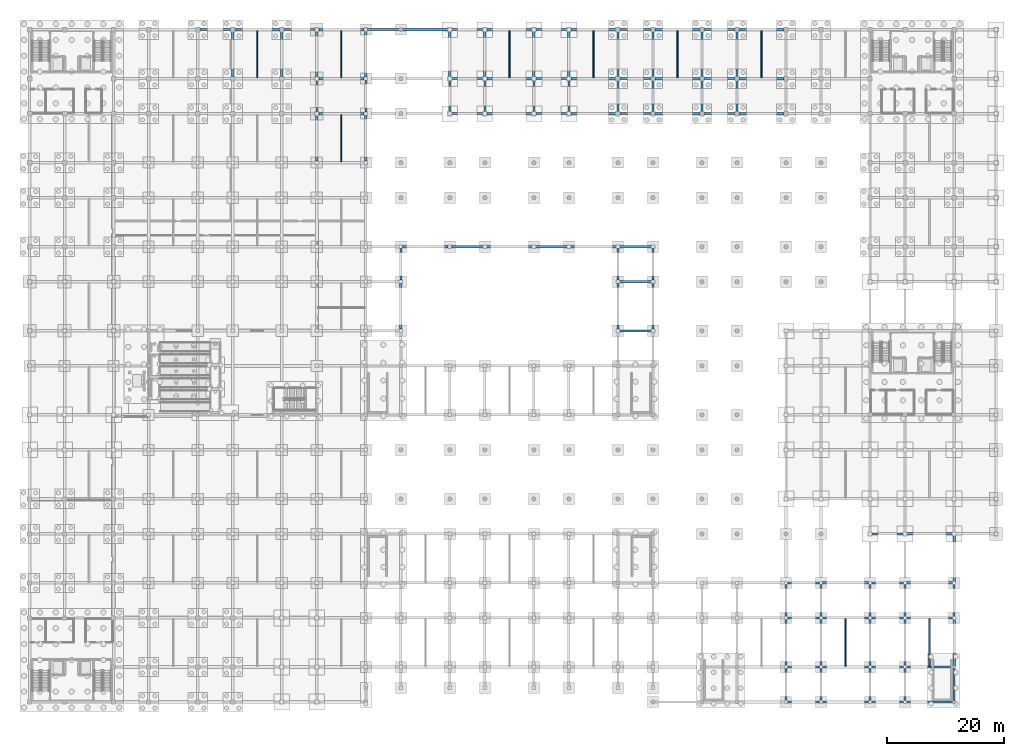
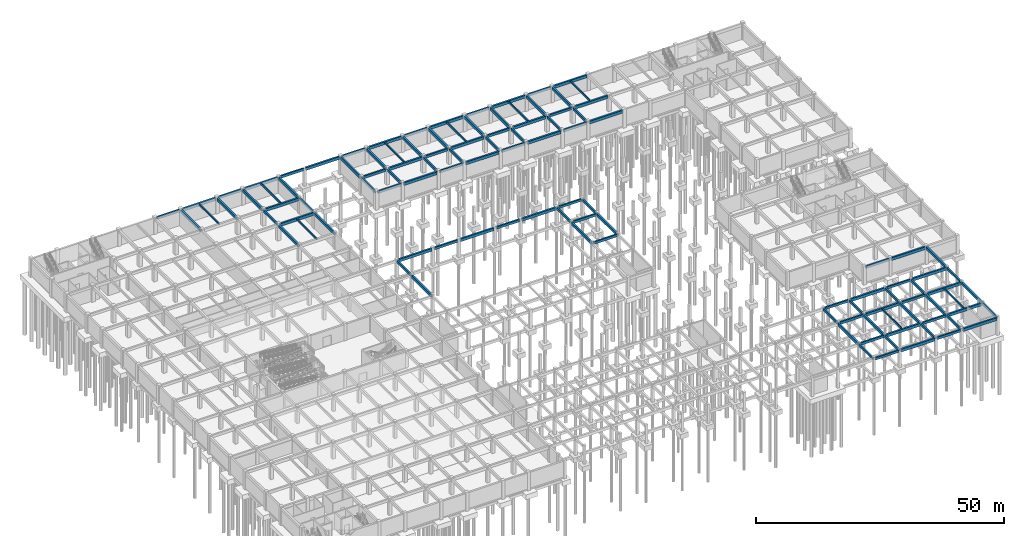
# One storey, part 21 of 40: 113 beams.
"""IFC4 building model written with IfcOpenShell, lengths in metres."""

from ifc_helpers import new_model, si_unit, direction, frame, origin, origin_2d, place, context, subcontext, project, spatial, rectangle, extrude, material, material_profile, profile_set, type_object, element, save


model = new_model("IFC4")

# Units and contexts
model_context = context("Model", 3, precision=1e-05, world=origin(), true_north=direction((0.0, 1.0)))
body_context = subcontext(model_context, "Body", "Model", "MODEL_VIEW")
ifc_project = project(units=[si_unit("LENGTHUNIT", "METRE"), si_unit("AREAUNIT", "SQUARE_METRE"), si_unit("VOLUMEUNIT", "CUBIC_METRE"), si_unit("PLANEANGLEUNIT", "RADIAN"), si_unit("MASSUNIT", "GRAM", prefix="KILO"), si_unit("THERMODYNAMICTEMPERATUREUNIT", "KELVIN")], contexts=[model_context])

# Site, building, storey
site_placement = place(None, origin())
site = spatial("IfcSite", under=ifc_project, at=site_placement, CompositionType="ELEMENT")
building_placement = place(site_placement, origin())
building = spatial("IfcBuilding", under=site, at=building_placement, Name="Thalorik Housing Commons", CompositionType="ELEMENT")
storey_placement = place(building_placement, frame((0.0, 0.0, -4.199951171875)))
storey = spatial("IfcBuildingStorey", under=building, at=storey_placement, Name="B1", CompositionType="ELEMENT", Elevation=-4.199951171875)

# Beams
ifc_material = material(Name="Precast concrete C40/50", Category="concrete")
ifc_material_profile_1 = material_profile(ifc_material, rectangle(XDim=0.35009765625, YDim=0.60009765625, at=origin_2d()), Name="PC 350x600", Category="concrete")
ifc_profile_set_1 = profile_set([ifc_material_profile_1], Name="Precast concrete C40/50")
beam_type_1 = type_object("IfcBeamType", Name="STR-BM-PC350x600", PredefinedType="BEAM", material=ifc_profile_set_1)
beam_1_placement = place(storey_placement, frame((138.22509765625, 8.39990234375, 3.599853515625), z_axis=(1.0, 0.0, 0.0), x_axis=(0.0, 1.0, 0.0)))
element("IfcBeam", 1, at=beam_1_placement, inside=storey, type_object=beam_type_1, Name="B1 Beam B-600", PredefinedType="BEAM", context=body_context, shape_type="SweptSolid", body=[
    extrude(rectangle(XDim=0.35009765625, YDim=0.60009765625, at=origin_2d()), origin(), (0.0, 0.0, 1.0), 5.5498046875),
])
beam_2_placement = place(storey_placement, frame((152.625, 8.39990234375, 3.599853515625), z_axis=(1.0, 0.0, 0.0), x_axis=(0.0, 1.0, 0.0)))
element("IfcBeam", 2, at=beam_2_placement, inside=storey, type_object=beam_type_1, Name="B1 Beam B-600", PredefinedType="BEAM", context=body_context, shape_type="SweptSolid", body=[
    extrude(rectangle(XDim=0.35009765625, YDim=0.60009765625, at=origin_2d()), origin(), (0.0, 0.0, 1.0), 5.550048828125),
])
beam_3_placement = place(storey_placement, frame((138.22509765625, 14.39990234375, 3.599853515625), z_axis=(1.0, 0.0, 0.0), x_axis=(0.0, 1.0, 0.0)))
element("IfcBeam", 3, at=beam_3_placement, inside=storey, type_object=beam_type_1, Name="B1 Beam B-600", PredefinedType="BEAM", context=body_context, shape_type="SweptSolid", body=[
    extrude(rectangle(XDim=0.35009765625, YDim=0.60009765625, at=origin_2d()), origin(), (0.0, 0.0, 1.0), 5.5498046875),
])
beam_4_placement = place(storey_placement, frame((152.625, 14.39990234375, 3.599853515625), z_axis=(1.0, 0.0, 0.0), x_axis=(0.0, 1.0, 0.0)))
element("IfcBeam", 4, at=beam_4_placement, inside=storey, type_object=beam_type_1, Name="B1 Beam B-600", PredefinedType="BEAM", context=body_context, shape_type="SweptSolid", body=[
    extrude(rectangle(XDim=0.35009765625, YDim=0.60009765625, at=origin_2d()), origin(), (0.0, 0.0, 1.0), 5.550048828125),
])
beam_5_placement = place(storey_placement, frame((138.22509765625, 22.800048828125, 3.599853515625), z_axis=(1.0, 0.0, 0.0), x_axis=(0.0, 1.0, 0.0)))
element("IfcBeam", 5, at=beam_5_placement, inside=storey, type_object=beam_type_1, Name="B1 Beam B-600", PredefinedType="BEAM", context=body_context, shape_type="SweptSolid", body=[
    extrude(rectangle(XDim=0.35009765625, YDim=0.60009765625, at=origin_2d()), origin(), (0.0, 0.0, 1.0), 5.5498046875),
])
beam_6_placement = place(storey_placement, frame((152.625, 22.800048828125, 3.599853515625), z_axis=(1.0, 0.0, 0.0), x_axis=(0.0, 1.0, 0.0)))
element("IfcBeam", 6, at=beam_6_placement, inside=storey, type_object=beam_type_1, Name="B1 Beam B-600", PredefinedType="BEAM", context=body_context, shape_type="SweptSolid", body=[
    extrude(rectangle(XDim=0.35009765625, YDim=0.60009765625, at=origin_2d()), origin(), (0.0, 0.0, 1.0), 5.550048828125),
])
beam_7_placement = place(storey_placement, frame((138.22509765625, 28.800048828125, 3.599853515625), z_axis=(1.0, 0.0, 0.0), x_axis=(0.0, 1.0, 0.0)))
element("IfcBeam", 7, at=beam_7_placement, inside=storey, type_object=beam_type_1, Name="B1 Beam B-600", PredefinedType="BEAM", context=body_context, shape_type="SweptSolid", body=[
    extrude(rectangle(XDim=0.35009765625, YDim=0.60009765625, at=origin_2d()), origin(), (0.0, 0.0, 1.0), 5.5498046875),
])
beam_8_placement = place(storey_placement, frame((152.625, 28.800048828125, 3.599853515625), z_axis=(1.0, 0.0, 0.0), x_axis=(0.0, 1.0, 0.0)))
element("IfcBeam", 8, at=beam_8_placement, inside=storey, type_object=beam_type_1, Name="B1 Beam B-600", PredefinedType="BEAM", context=body_context, shape_type="SweptSolid", body=[
    extrude(rectangle(XDim=0.35009765625, YDim=0.60009765625, at=origin_2d()), origin(), (0.0, 0.0, 1.0), 5.550048828125),
])
for number, where, z_axis, x_axis, name in (
    (9, (152.675048828125, 37.199951171875, 3.599853515625), (1.0, 0.0, 0.0), (0.0, 1.0, 0.0), "B1 Beam B-600"),
    (10, (109.47509765625, 72.0, 3.599853515625), (1.0, 0.0, 0.0), (0.0, 1.0, 0.0), "B1 Beam B-600"),
    (11, (109.47509765625, 80.39990234375, 3.599853515625), (1.0, 0.0, 0.0), (0.0, 1.0, 0.0), "B1 Beam B-600"),
    (12, (80.675048828125, 86.39990234375, 3.599853515625), (1.0, 0.0, 0.0), (0.0, 1.0, 0.0), "B1 Beam B-600"),
    (13, (95.074951171875, 86.39990234375, 3.599853515625), (1.0, 0.0, 0.0), (0.0, 1.0, 0.0), "B1 Beam B-600"),
    (14, (109.47509765625, 86.39990234375, 3.599853515625), (1.0, 0.0, 0.0), (0.0, 1.0, 0.0), "B1 Beam B-600"),
):
    element("IfcBeam", number, at=place(storey_placement, frame(where, z_axis=z_axis, x_axis=x_axis)), inside=storey, type_object=beam_type_1, Name=name, PredefinedType="BEAM", context=body_context, shape_type="SweptSolid", body=[
        extrude(rectangle(XDim=0.35009765625, YDim=0.60009765625, at=origin_2d()), origin(), (0.0, 0.0, 1.0), 5.449951171875),
    ])
beam_9_placement = place(storey_placement, frame((80.72509765625, 109.199951171875, 3.599853515625), z_axis=(1.0, 0.0, 0.0), x_axis=(0.0, 1.0, 0.0)))
element("IfcBeam", 15, at=beam_9_placement, inside=storey, type_object=beam_type_1, Name="B1 Beam B-600", PredefinedType="BEAM", context=body_context, shape_type="SweptSolid", body=[
    extrude(rectangle(XDim=0.35009765625, YDim=0.60009765625, at=origin_2d()), origin(), (0.0, 0.0, 1.0), 5.349853515625),
])
for number, where, z_axis, x_axis, name in (
    (16, (95.125, 109.199951171875, 3.599853515625), (1.0, 0.0, 0.0), (0.0, 1.0, 0.0), "B1 Beam B-600"),
    (17, (109.52490234375, 109.199951171875, 3.599853515625), (1.0, 0.0, 0.0), (0.0, 1.0, 0.0), "B1 Beam B-600"),
):
    element("IfcBeam", number, at=place(storey_placement, frame(where, z_axis=z_axis, x_axis=x_axis)), inside=storey, type_object=beam_type_1, Name=name, PredefinedType="BEAM", context=body_context, shape_type="SweptSolid", body=[
        extrude(rectangle(XDim=0.35009765625, YDim=0.60009765625, at=origin_2d()), origin(), (0.0, 0.0, 1.0), 5.35009765625),
    ])
for number, where, z_axis, x_axis, name in (
    (18, (123.925048828125, 109.199951171875, 3.599853515625), (1.0, 0.0, 0.0), (0.0, 1.0, 0.0), "B1 Beam B-600"),
    (19, (80.72509765625, 115.199951171875, 3.599853515625), (1.0, 0.0, 0.0), (0.0, 1.0, 0.0), "B1 Beam B-600"),
):
    element("IfcBeam", number, at=place(storey_placement, frame(where, z_axis=z_axis, x_axis=x_axis)), inside=storey, type_object=beam_type_1, Name=name, PredefinedType="BEAM", context=body_context, shape_type="SweptSolid", body=[
        extrude(rectangle(XDim=0.35009765625, YDim=0.60009765625, at=origin_2d()), origin(), (0.0, 0.0, 1.0), 5.349853515625),
    ])
for number, where, z_axis, x_axis, name in (
    (20, (95.125, 115.199951171875, 3.599853515625), (1.0, 0.0, 0.0), (0.0, 1.0, 0.0), "B1 Beam B-600"),
    (21, (109.52490234375, 115.199951171875, 3.599853515625), (1.0, 0.0, 0.0), (0.0, 1.0, 0.0), "B1 Beam B-600"),
):
    element("IfcBeam", number, at=place(storey_placement, frame(where, z_axis=z_axis, x_axis=x_axis)), inside=storey, type_object=beam_type_1, Name=name, PredefinedType="BEAM", context=body_context, shape_type="SweptSolid", body=[
        extrude(rectangle(XDim=0.35009765625, YDim=0.60009765625, at=origin_2d()), origin(), (0.0, 0.0, 1.0), 5.35009765625),
    ])
beam_10_placement = place(storey_placement, frame((123.925048828125, 115.199951171875, 3.599853515625), z_axis=(1.0, 0.0, 0.0), x_axis=(0.0, 1.0, 0.0)))
element("IfcBeam", 22, at=beam_10_placement, inside=storey, type_object=beam_type_1, Name="B1 Beam B-600", PredefinedType="BEAM", context=body_context, shape_type="SweptSolid", body=[
    extrude(rectangle(XDim=0.35009765625, YDim=0.60009765625, at=origin_2d()), origin(), (0.0, 0.0, 1.0), 5.349853515625),
])
for number, where, z_axis, x_axis, name in (
    (23, (37.550048828125, 123.60009765625, 3.599853515625), (1.0, 0.0, 0.0), (0.0, 1.0, 0.0), "B1 Beam B-600"),
    (24, (51.949951171875, 123.60009765625, 3.599853515625), (1.0, 0.0, 0.0), (0.0, 1.0, 0.0), "B1 Beam B-600"),
):
    element("IfcBeam", number, at=place(storey_placement, frame(where, z_axis=z_axis, x_axis=x_axis)), inside=storey, type_object=beam_type_1, Name=name, PredefinedType="BEAM", context=body_context, shape_type="SweptSolid", body=[
        extrude(rectangle(XDim=0.35009765625, YDim=0.60009765625, at=origin_2d()), origin(), (0.0, 0.0, 1.0), 5.300048828125),
    ])
beam_11_placement = place(storey_placement, frame((80.72509765625, 123.60009765625, 3.599853515625), z_axis=(1.0, 0.0, 0.0), x_axis=(0.0, 1.0, 0.0)))
element("IfcBeam", 25, at=beam_11_placement, inside=storey, type_object=beam_type_1, Name="B1 Beam B-600", PredefinedType="BEAM", context=body_context, shape_type="SweptSolid", body=[
    extrude(rectangle(XDim=0.35009765625, YDim=0.60009765625, at=origin_2d()), origin(), (0.0, 0.0, 1.0), 5.349853515625),
])
for number, where, z_axis, x_axis, name in (
    (26, (95.125, 123.60009765625, 3.599853515625), (1.0, 0.0, 0.0), (0.0, 1.0, 0.0), "B1 Beam B-600"),
    (27, (109.52490234375, 123.60009765625, 3.599853515625), (1.0, 0.0, 0.0), (0.0, 1.0, 0.0), "B1 Beam B-600"),
):
    element("IfcBeam", number, at=place(storey_placement, frame(where, z_axis=z_axis, x_axis=x_axis)), inside=storey, type_object=beam_type_1, Name=name, PredefinedType="BEAM", context=body_context, shape_type="SweptSolid", body=[
        extrude(rectangle(XDim=0.35009765625, YDim=0.60009765625, at=origin_2d()), origin(), (0.0, 0.0, 1.0), 5.35009765625),
    ])
beam_12_placement = place(storey_placement, frame((123.925048828125, 123.60009765625, 3.599853515625), z_axis=(1.0, 0.0, 0.0), x_axis=(0.0, 1.0, 0.0)))
element("IfcBeam", 28, at=beam_12_placement, inside=storey, type_object=beam_type_1, Name="B1 Beam B-600", PredefinedType="BEAM", context=body_context, shape_type="SweptSolid", body=[
    extrude(rectangle(XDim=0.35009765625, YDim=0.60009765625, at=origin_2d()), origin(), (0.0, 0.0, 1.0), 5.349853515625),
])
beam_13_placement = place(storey_placement, frame((57.60009765625, 109.550048828125, 3.599853515625), z_axis=(0.0, 1.0, 0.0), x_axis=(-1.0, 0.0, 0.0)))
element("IfcBeam", 29, at=beam_13_placement, inside=storey, type_object=beam_type_1, Name="B1 Beam B-600", PredefinedType="BEAM", context=body_context, shape_type="SweptSolid", body=[
    extrude(rectangle(XDim=0.35009765625, YDim=0.60009765625, at=origin_2d()), origin(), (0.0, 0.0, 1.0), 5.300048828125),
])
for number, where, z_axis, x_axis, name in (
    (30, (66.0, 109.47509765625, 3.599853515625), (0.0, 1.0, 0.0), (-1.0, 0.0, 0.0), "B1 Beam B-600"),
    (31, (72.0, 80.675048828125, 3.599853515625), (0.0, 1.0, 0.0), (-1.0, 0.0, 0.0), "B1 Beam B-600"),
):
    element("IfcBeam", number, at=place(storey_placement, frame(where, z_axis=z_axis, x_axis=x_axis)), inside=storey, type_object=beam_type_1, Name=name, PredefinedType="BEAM", context=body_context, shape_type="SweptSolid", body=[
        extrude(rectangle(XDim=0.35009765625, YDim=0.60009765625, at=origin_2d()), origin(), (0.0, 0.0, 1.0), 5.449951171875),
    ])
for number, where, z_axis, x_axis, name in (
    (32, (80.39990234375, 109.52490234375, 3.599853515625), (0.0, 1.0, 0.0), (-1.0, 0.0, 0.0), "B1 Beam B-600"),
    (33, (86.39990234375, 109.52490234375, 3.599853515625), (0.0, 1.0, 0.0), (-1.0, 0.0, 0.0), "B1 Beam B-600"),
    (34, (94.800048828125, 109.52490234375, 3.599853515625), (0.0, 1.0, 0.0), (-1.0, 0.0, 0.0), "B1 Beam B-600"),
    (35, (100.800048828125, 109.52490234375, 3.599853515625), (0.0, 1.0, 0.0), (-1.0, 0.0, 0.0), "B1 Beam B-600"),
):
    element("IfcBeam", number, at=place(storey_placement, frame(where, z_axis=z_axis, x_axis=x_axis)), inside=storey, type_object=beam_type_1, Name=name, PredefinedType="BEAM", context=body_context, shape_type="SweptSolid", body=[
        extrude(rectangle(XDim=0.35009765625, YDim=0.60009765625, at=origin_2d()), origin(), (0.0, 0.0, 1.0), 5.35009765625),
    ])
beam_14_placement = place(storey_placement, frame((109.199951171875, 80.675048828125, 3.599853515625), z_axis=(0.0, 1.0, 0.0), x_axis=(-1.0, 0.0, 0.0)))
element("IfcBeam", 36, at=beam_14_placement, inside=storey, type_object=beam_type_1, Name="B1 Beam B-600", PredefinedType="BEAM", context=body_context, shape_type="SweptSolid", body=[
    extrude(rectangle(XDim=0.35009765625, YDim=0.60009765625, at=origin_2d()), origin(), (0.0, 0.0, 1.0), 5.449951171875),
])
beam_15_placement = place(storey_placement, frame((109.199951171875, 109.52490234375, 3.599853515625), z_axis=(0.0, 1.0, 0.0), x_axis=(-1.0, 0.0, 0.0)))
element("IfcBeam", 37, at=beam_15_placement, inside=storey, type_object=beam_type_1, Name="B1 Beam B-600", PredefinedType="BEAM", context=body_context, shape_type="SweptSolid", body=[
    extrude(rectangle(XDim=0.35009765625, YDim=0.60009765625, at=origin_2d()), origin(), (0.0, 0.0, 1.0), 5.35009765625),
])
beam_16_placement = place(storey_placement, frame((115.199951171875, 80.675048828125, 3.599853515625), z_axis=(0.0, 1.0, 0.0), x_axis=(-1.0, 0.0, 0.0)))
element("IfcBeam", 38, at=beam_16_placement, inside=storey, type_object=beam_type_1, Name="B1 Beam B-600", PredefinedType="BEAM", context=body_context, shape_type="SweptSolid", body=[
    extrude(rectangle(XDim=0.35009765625, YDim=0.60009765625, at=origin_2d()), origin(), (0.0, 0.0, 1.0), 5.449951171875),
])
for number, where, z_axis, x_axis, name in (
    (39, (115.199951171875, 109.52490234375, 3.599853515625), (0.0, 1.0, 0.0), (-1.0, 0.0, 0.0), "B1 Beam B-600"),
    (40, (123.60009765625, 109.52490234375, 3.599853515625), (0.0, 1.0, 0.0), (-1.0, 0.0, 0.0), "B1 Beam B-600"),
    (41, (129.60009765625, 109.52490234375, 3.599853515625), (0.0, 1.0, 0.0), (-1.0, 0.0, 0.0), "B1 Beam B-600"),
):
    element("IfcBeam", number, at=place(storey_placement, frame(where, z_axis=z_axis, x_axis=x_axis)), inside=storey, type_object=beam_type_1, Name=name, PredefinedType="BEAM", context=body_context, shape_type="SweptSolid", body=[
        extrude(rectangle(XDim=0.35009765625, YDim=0.60009765625, at=origin_2d()), origin(), (0.0, 0.0, 1.0), 5.35009765625),
    ])
for number, where, z_axis, x_axis, name in (
    (42, (138.0, 8.625, 3.599853515625), (0.0, 1.0, 0.0), (-1.0, 0.0, 0.0), "B1 Beam B-600"),
    (43, (138.0, 23.02490234375, 3.599853515625), (0.0, 1.0, 0.0), (-1.0, 0.0, 0.0), "B1 Beam B-600"),
    (44, (144.0, 8.625, 3.599853515625), (0.0, 1.0, 0.0), (-1.0, 0.0, 0.0), "B1 Beam B-600"),
    (45, (144.0, 23.02490234375, 3.599853515625), (0.0, 1.0, 0.0), (-1.0, 0.0, 0.0), "B1 Beam B-600"),
    (46, (152.39990234375, 8.625, 3.599853515625), (0.0, 1.0, 0.0), (-1.0, 0.0, 0.0), "B1 Beam B-600"),
    (47, (152.39990234375, 23.02490234375, 3.599853515625), (0.0, 1.0, 0.0), (-1.0, 0.0, 0.0), "B1 Beam B-600"),
    (48, (158.39990234375, 8.625, 3.599853515625), (0.0, 1.0, 0.0), (-1.0, 0.0, 0.0), "B1 Beam B-600"),
    (49, (158.39990234375, 23.02490234375, 3.599853515625), (0.0, 1.0, 0.0), (-1.0, 0.0, 0.0), "B1 Beam B-600"),
    (50, (166.800048828125, 8.625, 3.599853515625), (0.0, 1.0, 0.0), (-1.0, 0.0, 0.0), "B1 Beam B-600"),
    (51, (166.800048828125, 23.02490234375, 3.599853515625), (0.0, 1.0, 0.0), (-1.0, 0.0, 0.0), "B1 Beam B-600"),
):
    element("IfcBeam", number, at=place(storey_placement, frame(where, z_axis=z_axis, x_axis=x_axis)), inside=storey, type_object=beam_type_1, Name=name, PredefinedType="BEAM", context=body_context, shape_type="SweptSolid", body=[
        extrude(rectangle(XDim=0.35009765625, YDim=0.60009765625, at=origin_2d()), origin(), (0.0, 0.0, 1.0), 5.550048828125),
    ])
beam_17_placement = place(storey_placement, frame((66.284912109375, 123.60009765625, 3.64990234375), z_axis=(1.0, 0.0, 0.0), x_axis=(0.0, 1.0, 0.0)))
element("IfcBeam", 52, at=beam_17_placement, inside=storey, type_object=beam_type_1, Name="B1 Plaza Edge Beam X 2", PredefinedType="BEAM", context=body_context, shape_type="SweptSolid", body=[
    extrude(rectangle(XDim=0.35009765625, YDim=0.60009765625, at=origin_2d()), origin(), (0.0, 0.0, 1.0), 5.47998046875),
])
ifc_material_profile_2 = material_profile(ifc_material, rectangle(XDim=0.39990234375, YDim=0.699951171875, at=origin_2d()), Name="PC 400x700", Category="concrete")
ifc_profile_set_2 = profile_set([ifc_material_profile_2], Name="Precast concrete C40/50")
beam_type_2 = type_object("IfcBeamType", Name="STR-BM-PC400x700", PredefinedType="BEAM", material=ifc_profile_set_2)
for number, where, z_axis, x_axis, name in (
    (53, (144.22509765625, 8.39990234375, 3.550048828125), (1.0, 0.0, 0.0), (0.0, 1.0, 0.0), "B1 Beam B-700"),
    (54, (158.625, 8.39990234375, 3.550048828125), (1.0, 0.0, 0.0), (0.0, 1.0, 0.0), "B1 Beam B-700"),
    (55, (144.22509765625, 14.39990234375, 3.550048828125), (1.0, 0.0, 0.0), (0.0, 1.0, 0.0), "B1 Beam B-700"),
    (56, (158.625, 14.39990234375, 3.550048828125), (1.0, 0.0, 0.0), (0.0, 1.0, 0.0), "B1 Beam B-700"),
    (57, (144.22509765625, 22.800048828125, 3.550048828125), (1.0, 0.0, 0.0), (0.0, 1.0, 0.0), "B1 Beam B-700"),
    (58, (158.625, 22.800048828125, 3.550048828125), (1.0, 0.0, 0.0), (0.0, 1.0, 0.0), "B1 Beam B-700"),
    (59, (144.22509765625, 28.800048828125, 3.550048828125), (1.0, 0.0, 0.0), (0.0, 1.0, 0.0), "B1 Beam B-700"),
    (60, (158.625, 28.800048828125, 3.550048828125), (1.0, 0.0, 0.0), (0.0, 1.0, 0.0), "B1 Beam B-700"),
):
    element("IfcBeam", number, at=place(storey_placement, frame(where, z_axis=z_axis, x_axis=x_axis)), inside=storey, type_object=beam_type_2, Name=name, PredefinedType="BEAM", context=body_context, shape_type="SweptSolid", body=[
        extrude(rectangle(XDim=0.39990234375, YDim=0.699951171875, at=origin_2d()), origin(), (0.0, 0.0, 1.0), 7.949951171875),
    ])
beam_18_placement = place(storey_placement, frame((158.675048828125, 37.199951171875, 3.550048828125), z_axis=(1.0, 0.0, 0.0), x_axis=(0.0, 1.0, 0.0)))
element("IfcBeam", 61, at=beam_18_placement, inside=storey, type_object=beam_type_2, Name="B1 Beam B-700", PredefinedType="BEAM", context=body_context, shape_type="SweptSolid", body=[
    extrude(rectangle(XDim=0.39990234375, YDim=0.699951171875, at=origin_2d()), origin(), (0.0, 0.0, 1.0), 7.849853515625),
])
beam_19_placement = place(storey_placement, frame((72.27490234375, 86.39990234375, 3.550048828125), z_axis=(1.0, 0.0, 0.0), x_axis=(0.0, 1.0, 0.0)))
element("IfcBeam", 62, at=beam_19_placement, inside=storey, type_object=beam_type_2, Name="B1 Beam B-700", PredefinedType="BEAM", context=body_context, shape_type="SweptSolid", body=[
    extrude(rectangle(XDim=0.39990234375, YDim=0.699951171875, at=origin_2d()), origin(), (0.0, 0.0, 1.0), 7.85009765625),
])
beam_20_placement = place(storey_placement, frame((86.675048828125, 86.39990234375, 3.550048828125), z_axis=(1.0, 0.0, 0.0), x_axis=(0.0, 1.0, 0.0)))
element("IfcBeam", 63, at=beam_20_placement, inside=storey, type_object=beam_type_2, Name="B1 Beam B-700", PredefinedType="BEAM", context=body_context, shape_type="SweptSolid", body=[
    extrude(rectangle(XDim=0.39990234375, YDim=0.699951171875, at=origin_2d()), origin(), (0.0, 0.0, 1.0), 7.849853515625),
])
beam_21_placement = place(storey_placement, frame((101.074951171875, 86.39990234375, 3.550048828125), z_axis=(1.0, 0.0, 0.0), x_axis=(0.0, 1.0, 0.0)))
element("IfcBeam", 64, at=beam_21_placement, inside=storey, type_object=beam_type_2, Name="B1 Beam B-700", PredefinedType="BEAM", context=body_context, shape_type="SweptSolid", body=[
    extrude(rectangle(XDim=0.39990234375, YDim=0.699951171875, at=origin_2d()), origin(), (0.0, 0.0, 1.0), 7.85009765625),
])
beam_22_placement = place(storey_placement, frame((57.949951171875, 109.199951171875, 3.550048828125), z_axis=(1.0, 0.0, 0.0), x_axis=(0.0, 1.0, 0.0)))
element("IfcBeam", 65, at=beam_22_placement, inside=storey, type_object=beam_type_2, Name="B1 Beam B-700", PredefinedType="BEAM", context=body_context, shape_type="SweptSolid", body=[
    extrude(rectangle(XDim=0.39990234375, YDim=0.699951171875, at=origin_2d()), origin(), (0.0, 0.0, 1.0), 7.775146484375),
])
for number, where, z_axis, x_axis, name in (
    (66, (86.72509765625, 109.199951171875, 3.550048828125), (1.0, 0.0, 0.0), (0.0, 1.0, 0.0), "B1 Beam B-700"),
    (67, (101.125, 109.199951171875, 3.550048828125), (1.0, 0.0, 0.0), (0.0, 1.0, 0.0), "B1 Beam B-700"),
    (68, (115.52490234375, 109.199951171875, 3.550048828125), (1.0, 0.0, 0.0), (0.0, 1.0, 0.0), "B1 Beam B-700"),
    (69, (129.925048828125, 109.199951171875, 3.550048828125), (1.0, 0.0, 0.0), (0.0, 1.0, 0.0), "B1 Beam B-700"),
):
    element("IfcBeam", number, at=place(storey_placement, frame(where, z_axis=z_axis, x_axis=x_axis)), inside=storey, type_object=beam_type_2, Name=name, PredefinedType="BEAM", context=body_context, shape_type="SweptSolid", body=[
        extrude(rectangle(XDim=0.39990234375, YDim=0.699951171875, at=origin_2d()), origin(), (0.0, 0.0, 1.0), 7.75),
    ])
beam_23_placement = place(storey_placement, frame((57.949951171875, 115.199951171875, 3.550048828125), z_axis=(1.0, 0.0, 0.0), x_axis=(0.0, 1.0, 0.0)))
element("IfcBeam", 70, at=beam_23_placement, inside=storey, type_object=beam_type_2, Name="B1 Beam B-700", PredefinedType="BEAM", context=body_context, shape_type="SweptSolid", body=[
    extrude(rectangle(XDim=0.39990234375, YDim=0.699951171875, at=origin_2d()), origin(), (0.0, 0.0, 1.0), 7.775146484375),
])
for number, where, z_axis, x_axis, name in (
    (71, (86.72509765625, 115.199951171875, 3.550048828125), (1.0, 0.0, 0.0), (0.0, 1.0, 0.0), "B1 Beam B-700"),
    (72, (101.125, 115.199951171875, 3.550048828125), (1.0, 0.0, 0.0), (0.0, 1.0, 0.0), "B1 Beam B-700"),
    (73, (115.52490234375, 115.199951171875, 3.550048828125), (1.0, 0.0, 0.0), (0.0, 1.0, 0.0), "B1 Beam B-700"),
    (74, (129.925048828125, 115.199951171875, 3.550048828125), (1.0, 0.0, 0.0), (0.0, 1.0, 0.0), "B1 Beam B-700"),
):
    element("IfcBeam", number, at=place(storey_placement, frame(where, z_axis=z_axis, x_axis=x_axis)), inside=storey, type_object=beam_type_2, Name=name, PredefinedType="BEAM", context=body_context, shape_type="SweptSolid", body=[
        extrude(rectangle(XDim=0.39990234375, YDim=0.699951171875, at=origin_2d()), origin(), (0.0, 0.0, 1.0), 7.75),
    ])
beam_24_placement = place(storey_placement, frame((43.550048828125, 123.60009765625, 3.550048828125), z_axis=(1.0, 0.0, 0.0), x_axis=(0.0, 1.0, 0.0)))
element("IfcBeam", 75, at=beam_24_placement, inside=storey, type_object=beam_type_2, Name="B1 Beam B-700", PredefinedType="BEAM", context=body_context, shape_type="SweptSolid", body=[
    extrude(rectangle(XDim=0.39990234375, YDim=0.699951171875, at=origin_2d()), origin(), (0.0, 0.0, 1.0), 7.699951171875),
])
beam_25_placement = place(storey_placement, frame((57.949951171875, 123.60009765625, 3.550048828125), z_axis=(1.0, 0.0, 0.0), x_axis=(0.0, 1.0, 0.0)))
element("IfcBeam", 76, at=beam_25_placement, inside=storey, type_object=beam_type_2, Name="B1 Beam B-700", PredefinedType="BEAM", context=body_context, shape_type="SweptSolid", body=[
    extrude(rectangle(XDim=0.39990234375, YDim=0.699951171875, at=origin_2d()), origin(), (0.0, 0.0, 1.0), 7.775146484375),
])
for number, where, z_axis, x_axis, name in (
    (77, (86.72509765625, 123.60009765625, 3.550048828125), (1.0, 0.0, 0.0), (0.0, 1.0, 0.0), "B1 Beam B-700"),
    (78, (101.125, 123.60009765625, 3.550048828125), (1.0, 0.0, 0.0), (0.0, 1.0, 0.0), "B1 Beam B-700"),
    (79, (115.52490234375, 123.60009765625, 3.550048828125), (1.0, 0.0, 0.0), (0.0, 1.0, 0.0), "B1 Beam B-700"),
    (80, (129.925048828125, 123.60009765625, 3.550048828125), (1.0, 0.0, 0.0), (0.0, 1.0, 0.0), "B1 Beam B-700"),
):
    element("IfcBeam", number, at=place(storey_placement, frame(where, z_axis=z_axis, x_axis=x_axis)), inside=storey, type_object=beam_type_2, Name=name, PredefinedType="BEAM", context=body_context, shape_type="SweptSolid", body=[
        extrude(rectangle(XDim=0.39990234375, YDim=0.699951171875, at=origin_2d()), origin(), (0.0, 0.0, 1.0), 7.75),
    ])
for number, where, z_axis, x_axis, name in (
    (81, (43.199951171875, 115.550048828125, 3.550048828125), (0.0, 1.0, 0.0), (-1.0, 0.0, 0.0), "B1 Beam B-700"),
    (82, (51.60009765625, 115.550048828125, 3.550048828125), (0.0, 1.0, 0.0), (-1.0, 0.0, 0.0), "B1 Beam B-700"),
):
    element("IfcBeam", number, at=place(storey_placement, frame(where, z_axis=z_axis, x_axis=x_axis)), inside=storey, type_object=beam_type_2, Name=name, PredefinedType="BEAM", context=body_context, shape_type="SweptSolid", body=[
        extrude(rectangle(XDim=0.39990234375, YDim=0.699951171875, at=origin_2d()), origin(), (0.0, 0.0, 1.0), 7.699951171875),
    ])
beam_26_placement = place(storey_placement, frame((57.60009765625, 101.074951171875, 3.550048828125), z_axis=(0.0, 1.0, 0.0), x_axis=(-1.0, 0.0, 0.0)))
element("IfcBeam", 83, at=beam_26_placement, inside=storey, type_object=beam_type_2, Name="B1 Beam B-700", PredefinedType="BEAM", context=body_context, shape_type="SweptSolid", body=[
    extrude(rectangle(XDim=0.39990234375, YDim=0.699951171875, at=origin_2d()), origin(), (0.0, 0.0, 1.0), 7.775146484375),
])
beam_27_placement = place(storey_placement, frame((57.60009765625, 115.550048828125, 3.550048828125), z_axis=(0.0, 1.0, 0.0), x_axis=(-1.0, 0.0, 0.0)))
element("IfcBeam", 84, at=beam_27_placement, inside=storey, type_object=beam_type_2, Name="B1 Beam B-700", PredefinedType="BEAM", context=body_context, shape_type="SweptSolid", body=[
    extrude(rectangle(XDim=0.39990234375, YDim=0.699951171875, at=origin_2d()), origin(), (0.0, 0.0, 1.0), 7.699951171875),
])
beam_28_placement = place(storey_placement, frame((66.0, 101.074951171875, 3.550048828125), z_axis=(0.0, 1.0, 0.0), x_axis=(-1.0, 0.0, 0.0)))
element("IfcBeam", 85, at=beam_28_placement, inside=storey, type_object=beam_type_2, Name="B1 Beam B-700", PredefinedType="BEAM", context=body_context, shape_type="SweptSolid", body=[
    extrude(rectangle(XDim=0.39990234375, YDim=0.699951171875, at=origin_2d()), origin(), (0.0, 0.0, 1.0), 7.85009765625),
])
beam_29_placement = place(storey_placement, frame((66.0, 115.47509765625, 3.550048828125), z_axis=(0.0, 1.0, 0.0), x_axis=(-1.0, 0.0, 0.0)))
element("IfcBeam", 86, at=beam_29_placement, inside=storey, type_object=beam_type_2, Name="B1 Beam B-700", PredefinedType="BEAM", context=body_context, shape_type="SweptSolid", body=[
    extrude(rectangle(XDim=0.39990234375, YDim=0.699951171875, at=origin_2d()), origin(), (0.0, 0.0, 1.0), 7.849853515625),
])
beam_30_placement = place(storey_placement, frame((72.0, 72.27490234375, 3.550048828125), z_axis=(0.0, 1.0, 0.0), x_axis=(-1.0, 0.0, 0.0)))
element("IfcBeam", 87, at=beam_30_placement, inside=storey, type_object=beam_type_2, Name="B1 Beam B-700", PredefinedType="BEAM", context=body_context, shape_type="SweptSolid", body=[
    extrude(rectangle(XDim=0.39990234375, YDim=0.699951171875, at=origin_2d()), origin(), (0.0, 0.0, 1.0), 7.85009765625),
])
for number, where, z_axis, x_axis, name in (
    (88, (80.39990234375, 115.52490234375, 3.550048828125), (0.0, 1.0, 0.0), (-1.0, 0.0, 0.0), "B1 Beam B-700"),
    (89, (86.39990234375, 115.52490234375, 3.550048828125), (0.0, 1.0, 0.0), (-1.0, 0.0, 0.0), "B1 Beam B-700"),
    (90, (94.800048828125, 115.52490234375, 3.550048828125), (0.0, 1.0, 0.0), (-1.0, 0.0, 0.0), "B1 Beam B-700"),
    (91, (100.800048828125, 115.52490234375, 3.550048828125), (0.0, 1.0, 0.0), (-1.0, 0.0, 0.0), "B1 Beam B-700"),
):
    element("IfcBeam", number, at=place(storey_placement, frame(where, z_axis=z_axis, x_axis=x_axis)), inside=storey, type_object=beam_type_2, Name=name, PredefinedType="BEAM", context=body_context, shape_type="SweptSolid", body=[
        extrude(rectangle(XDim=0.39990234375, YDim=0.699951171875, at=origin_2d()), origin(), (0.0, 0.0, 1.0), 7.75),
    ])
beam_31_placement = place(storey_placement, frame((109.199951171875, 72.27490234375, 3.550048828125), z_axis=(0.0, 1.0, 0.0), x_axis=(-1.0, 0.0, 0.0)))
element("IfcBeam", 92, at=beam_31_placement, inside=storey, type_object=beam_type_2, Name="B1 Beam B-700", PredefinedType="BEAM", context=body_context, shape_type="SweptSolid", body=[
    extrude(rectangle(XDim=0.39990234375, YDim=0.699951171875, at=origin_2d()), origin(), (0.0, 0.0, 1.0), 7.85009765625),
])
beam_32_placement = place(storey_placement, frame((109.199951171875, 115.52490234375, 3.550048828125), z_axis=(0.0, 1.0, 0.0), x_axis=(-1.0, 0.0, 0.0)))
element("IfcBeam", 93, at=beam_32_placement, inside=storey, type_object=beam_type_2, Name="B1 Beam B-700", PredefinedType="BEAM", context=body_context, shape_type="SweptSolid", body=[
    extrude(rectangle(XDim=0.39990234375, YDim=0.699951171875, at=origin_2d()), origin(), (0.0, 0.0, 1.0), 7.75),
])
beam_33_placement = place(storey_placement, frame((115.199951171875, 72.27490234375, 3.550048828125), z_axis=(0.0, 1.0, 0.0), x_axis=(-1.0, 0.0, 0.0)))
element("IfcBeam", 94, at=beam_33_placement, inside=storey, type_object=beam_type_2, Name="B1 Beam B-700", PredefinedType="BEAM", context=body_context, shape_type="SweptSolid", body=[
    extrude(rectangle(XDim=0.39990234375, YDim=0.699951171875, at=origin_2d()), origin(), (0.0, 0.0, 1.0), 7.85009765625),
])
for number, where, z_axis, x_axis, name in (
    (95, (115.199951171875, 115.52490234375, 3.550048828125), (0.0, 1.0, 0.0), (-1.0, 0.0, 0.0), "B1 Beam B-700"),
    (96, (123.60009765625, 115.52490234375, 3.550048828125), (0.0, 1.0, 0.0), (-1.0, 0.0, 0.0), "B1 Beam B-700"),
    (97, (129.60009765625, 115.52490234375, 3.550048828125), (0.0, 1.0, 0.0), (-1.0, 0.0, 0.0), "B1 Beam B-700"),
):
    element("IfcBeam", number, at=place(storey_placement, frame(where, z_axis=z_axis, x_axis=x_axis)), inside=storey, type_object=beam_type_2, Name=name, PredefinedType="BEAM", context=body_context, shape_type="SweptSolid", body=[
        extrude(rectangle(XDim=0.39990234375, YDim=0.699951171875, at=origin_2d()), origin(), (0.0, 0.0, 1.0), 7.75),
    ])
for number, where, z_axis, x_axis, name in (
    (98, (138.0, 14.625, 3.550048828125), (0.0, 1.0, 0.0), (-1.0, 0.0, 0.0), "B1 Beam B-700"),
    (99, (144.0, 14.625, 3.550048828125), (0.0, 1.0, 0.0), (-1.0, 0.0, 0.0), "B1 Beam B-700"),
    (100, (152.39990234375, 14.625, 3.550048828125), (0.0, 1.0, 0.0), (-1.0, 0.0, 0.0), "B1 Beam B-700"),
    (101, (158.39990234375, 14.625, 3.550048828125), (0.0, 1.0, 0.0), (-1.0, 0.0, 0.0), "B1 Beam B-700"),
    (102, (166.800048828125, 14.625, 3.550048828125), (0.0, 1.0, 0.0), (-1.0, 0.0, 0.0), "B1 Beam B-700"),
):
    element("IfcBeam", number, at=place(storey_placement, frame(where, z_axis=z_axis, x_axis=x_axis)), inside=storey, type_object=beam_type_2, Name=name, PredefinedType="BEAM", context=body_context, shape_type="SweptSolid", body=[
        extrude(rectangle(XDim=0.39990234375, YDim=0.699951171875, at=origin_2d()), origin(), (0.0, 0.0, 1.0), 7.949951171875),
    ])
beam_34_placement = place(storey_placement, frame((72.235107421875, 123.60009765625, 3.599853515625), z_axis=(1.0, 0.0, 0.0), x_axis=(0.0, 1.0, 0.0)))
element("IfcBeam", 103, at=beam_34_placement, inside=storey, type_object=beam_type_2, Name="B1 Plaza Edge Beam X 3", PredefinedType="BEAM", context=body_context, shape_type="SweptSolid", body=[
    extrude(rectangle(XDim=0.39990234375, YDim=0.699951171875, at=origin_2d()), origin(), (0.0, 0.0, 1.0), 7.829833984375),
])
beam_35_placement = place(storey_placement, frame((166.800048828125, 29.034912109375, 3.599853515625), z_axis=(0.0, 1.0, 0.0), x_axis=(-1.0, 0.0, 0.0)))
element("IfcBeam", 104, at=beam_35_placement, inside=storey, type_object=beam_type_2, Name="B1 Plaza Edge Beam Y 4", PredefinedType="BEAM", context=body_context, shape_type="SweptSolid", body=[
    extrude(rectangle(XDim=0.39990234375, YDim=0.699951171875, at=origin_2d()), origin(), (0.0, 0.0, 1.0), 7.880126953125),
])
ifc_material_profile_3 = material_profile(ifc_material, rectangle(XDim=0.239990234375, YDim=0.43994140625, at=origin_2d()), Name="PC JST 240x440", Category="concrete")
ifc_profile_set_3 = profile_set([ifc_material_profile_3], Name="Precast concrete C40/50")
beam_type_3 = type_object("IfcBeamType", Name="STR-JST-PC240x440", PredefinedType="JOIST", material=ifc_profile_set_3)
for number, where, z_axis, x_axis, name in (
    (105, (148.199951171875, 14.550048828125, 3.679931640625), (0.0, 1.0, 0.0), (-1.0, 0.0, 0.0), "B1 Beam J-440"),
    (106, (162.60009765625, 14.550048828125, 3.679931640625), (0.0, 1.0, 0.0), (-1.0, 0.0, 0.0), "B1 Beam J-440"),
):
    element("IfcBeam", number, at=place(storey_placement, frame(where, z_axis=z_axis, x_axis=x_axis)), inside=storey, type_object=beam_type_3, Name=name, PredefinedType="JOIST", context=body_context, shape_type="SweptSolid", body=[
        extrude(rectangle(XDim=0.239990234375, YDim=0.43994140625, at=origin_2d()), origin(), (0.0, 0.0, 1.0), 8.099853515625),
    ])
beam_36_placement = place(storey_placement, frame((61.800048828125, 100.949951171875, 3.679931640625), z_axis=(0.0, 1.0, 0.0), x_axis=(-1.0, 0.0, 0.0)))
element("IfcBeam", 107, at=beam_36_placement, inside=storey, type_object=beam_type_3, Name="B1 Beam J-440", PredefinedType="JOIST", context=body_context, shape_type="SweptSolid", body=[
    extrude(rectangle(XDim=0.239990234375, YDim=0.43994140625, at=origin_2d()), origin(), (0.0, 0.0, 1.0), 8.10009765625),
])
for number, where, z_axis, x_axis, name in (
    (108, (47.39990234375, 115.35009765625, 3.679931640625), (0.0, 1.0, 0.0), (-1.0, 0.0, 0.0), "B1 Beam J-440"),
    (109, (61.800048828125, 115.35009765625, 3.679931640625), (0.0, 1.0, 0.0), (-1.0, 0.0, 0.0), "B1 Beam J-440"),
    (110, (90.60009765625, 115.35009765625, 3.679931640625), (0.0, 1.0, 0.0), (-1.0, 0.0, 0.0), "B1 Beam J-440"),
    (111, (105.0, 115.35009765625, 3.679931640625), (0.0, 1.0, 0.0), (-1.0, 0.0, 0.0), "B1 Beam J-440"),
    (112, (119.39990234375, 115.35009765625, 3.679931640625), (0.0, 1.0, 0.0), (-1.0, 0.0, 0.0), "B1 Beam J-440"),
    (113, (133.800048828125, 115.35009765625, 3.679931640625), (0.0, 1.0, 0.0), (-1.0, 0.0, 0.0), "B1 Beam J-440"),
):
    element("IfcBeam", number, at=place(storey_placement, frame(where, z_axis=z_axis, x_axis=x_axis)), inside=storey, type_object=beam_type_3, Name=name, PredefinedType="JOIST", context=body_context, shape_type="SweptSolid", body=[
        extrude(rectangle(XDim=0.239990234375, YDim=0.43994140625, at=origin_2d()), origin(), (0.0, 0.0, 1.0), 8.099853515625),
    ])

save(model, "model.ifc")
